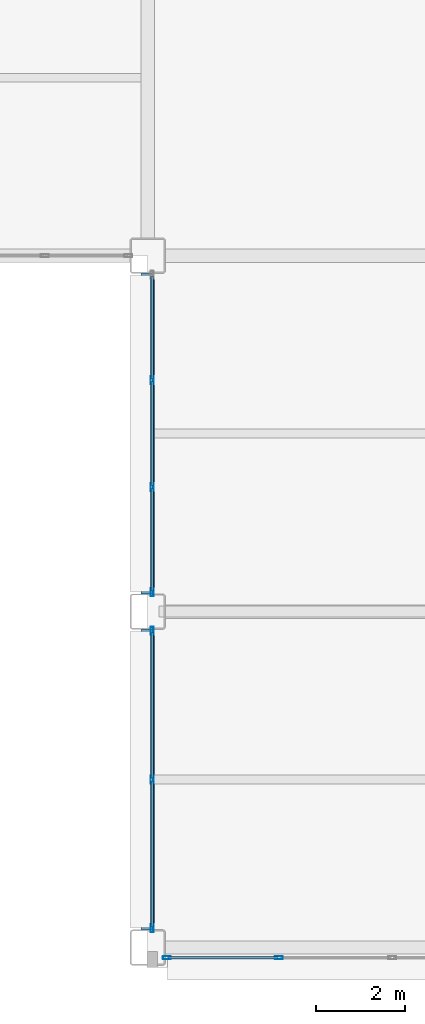
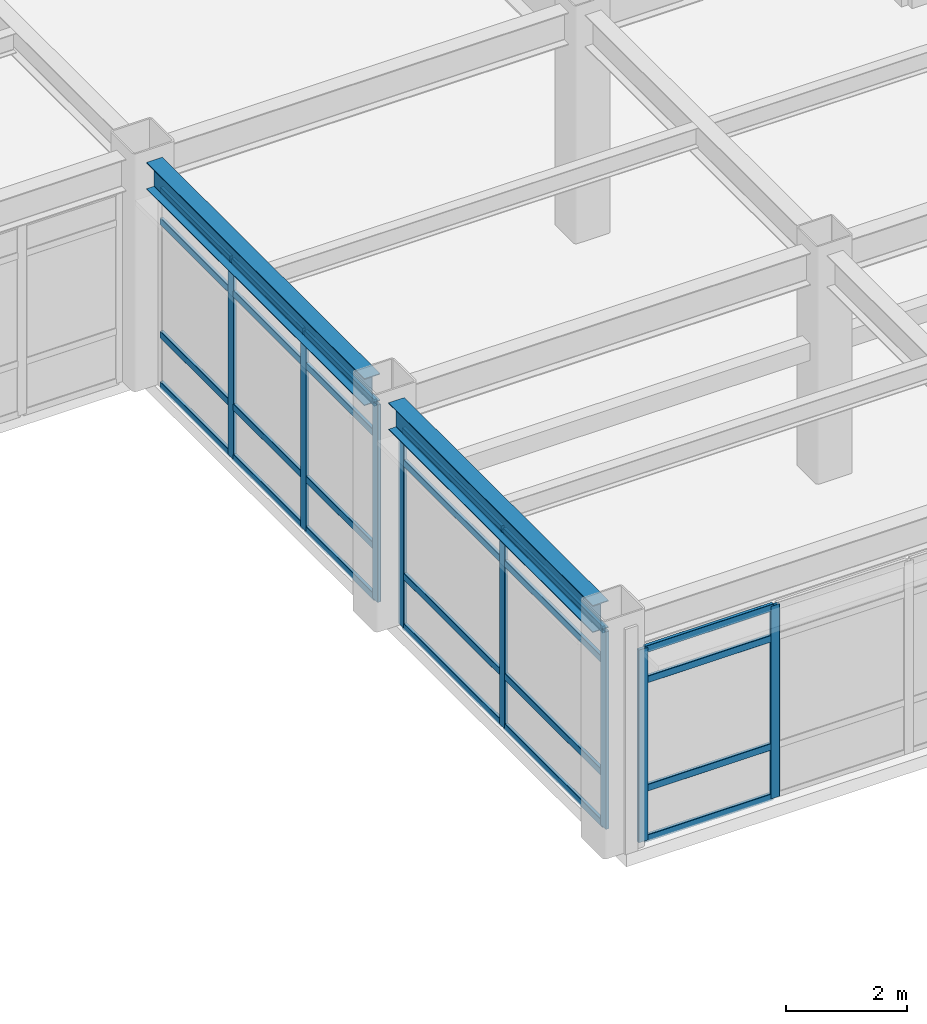
# One storey, part 79 of 154: 32 members, 2 beams, 3 elements without a shape of their own.
"""IFC4 building model written with IfcOpenShell, lengths in metres."""

from ifc_helpers import new_model, si_unit, direction, frame, origin, origin_2d, place, context, subcontext, project, spatial, hollow_rectangle, i_section, extrude, material, layer, layer_set, material_profile, profile_set, type_object, element, aggregate, save


model = new_model("IFC4")

# Units and contexts
model_context = context("Model", 3, precision=1e-05, world=origin(), true_north=direction((0.0, 1.0)))
body_context = subcontext(model_context, "Body", "Model", "MODEL_VIEW")
ifc_project = project(units=[si_unit("LENGTHUNIT", "METRE"), si_unit("AREAUNIT", "SQUARE_METRE"), si_unit("VOLUMEUNIT", "CUBIC_METRE"), si_unit("PLANEANGLEUNIT", "RADIAN"), si_unit("MASSUNIT", "GRAM", prefix="KILO")], contexts=[model_context])

# Site, building, storey
site_placement = place(None, origin())
site = spatial("IfcSite", under=ifc_project, at=site_placement, CompositionType="ELEMENT")
building_placement = place(site_placement, origin())
building = spatial("IfcBuilding", under=site, at=building_placement, Name="Kazehara Bluff Congress Hotel", CompositionType="ELEMENT")
storey_placement = place(building_placement, frame((0.0, 0.0, 10.199951171875)))
storey = spatial("IfcBuildingStorey", under=building, at=storey_placement, Name="L02", CompositionType="ELEMENT", Elevation=10.199951171875)

# Curtain wall, members
ifc_material_1 = material(Name="Anodised aluminium", Category="aluminium")
ifc_layer_1 = layer(ifc_material_1, 0.159912109375)
ifc_layer_set_1 = layer_set([ifc_layer_1], Name="Anodised aluminium")
curtain_wall_type_1 = type_object("IfcCurtainWallType", Name="TP-CW-22", PredefinedType="NOTDEFINED", material=ifc_layer_set_1)
curtain_wall_1_placement = place(storey_placement, origin())
curtain_wall_1 = element("IfcCurtainWall", 1, at=curtain_wall_1_placement, inside=storey, type_object=curtain_wall_type_1, Name="L02 curtain wall CW-22 CW-ENC-V5-L02-14793-22", PredefinedType="NOTDEFINED")
ifc_material_2 = material(Name="Anodised aluminium", Category="aluminium")
ifc_material_profile_1 = material_profile(ifc_material_2, hollow_rectangle(XDim=0.06494140625, YDim=0.179931640625, WallThickness=0.00390625, InnerFilletRadius=0.00390625, OuterFilletRadius=0.008056640625, at=origin_2d()))
ifc_profile_set_1 = profile_set([ifc_material_profile_1], Name="Anodised aluminium")
member_type_1 = type_object("IfcMemberType", Name="TP-CWM-02", PredefinedType="MULLION", material=ifc_profile_set_1)
member_1_placement = place(storey_placement, frame((146.64990234375, 0.219970703125, 0.0), z_axis=(0.0, 0.0, 1.0), x_axis=(0.0, -1.0, 0.0)))
member_1 = element("IfcMember", 2, at=member_1_placement, type_object=member_type_1, Name="CW-22 mullion 3", PredefinedType="MULLION", context=body_context, shape_type="SweptSolid", body=[
    extrude(hollow_rectangle(XDim=0.06494140625, YDim=0.179931640625, WallThickness=0.00390625, InnerFilletRadius=0.00390625, OuterFilletRadius=0.008056640625, at=origin_2d()), origin(), (0.0, 0.0, 1.0), 3.885009765625),
])
member_2_placement = place(storey_placement, frame((144.132568359375, 0.219970703125, 0.0), z_axis=(0.0, 0.0, 1.0), x_axis=(0.0, -1.0, 0.0)))
member_2 = element("IfcMember", 3, at=member_2_placement, type_object=member_type_1, Name="CW-22 mullion 4", PredefinedType="MULLION", context=body_context, shape_type="SweptSolid", body=[
    extrude(hollow_rectangle(XDim=0.06494140625, YDim=0.179931640625, WallThickness=0.00390625, InnerFilletRadius=0.00390625, OuterFilletRadius=0.008056640625, at=origin_2d()), origin(), (0.0, 0.0, 1.0), 3.885009765625),
])

ifc_material_3 = material(Name="Anodised aluminium", Category="aluminium")
ifc_layer_2 = layer(ifc_material_3, 0.159912109375)
ifc_layer_set_2 = layer_set([ifc_layer_2], Name="Anodised aluminium")
curtain_wall_type_2 = type_object("IfcCurtainWallType", Name="TP-CW-122", PredefinedType="NOTDEFINED", material=ifc_layer_set_2)
curtain_wall_2_placement = place(storey_placement, origin())
curtain_wall_2 = element("IfcCurtainWall", 4, at=curtain_wall_2_placement, inside=storey, type_object=curtain_wall_type_2, Name="L02 curtain wall CW-122 CW-ENC-V5-L02-14380-422", PredefinedType="NOTDEFINED")
member_3_placement = place(storey_placement, frame((143.800048828125, 0.882568359375, 0.0), z_axis=(0.0, 0.0, 1.0), x_axis=(-1.0, 0.0, 0.0)))
member_3 = element("IfcMember", 5, at=member_3_placement, type_object=member_type_1, Name="CW-122 mullion 1", PredefinedType="MULLION", context=body_context, shape_type="SweptSolid", body=[
    extrude(hollow_rectangle(XDim=0.06494140625, YDim=0.179931640625, WallThickness=0.00390625, InnerFilletRadius=0.00390625, OuterFilletRadius=0.008056640625, at=origin_2d()), origin(), (0.0, 0.0, 1.0), 3.985107421875),
])
member_4_placement = place(storey_placement, frame((143.800048828125, 4.22509765625, 0.0), z_axis=(0.0, 0.0, 1.0), x_axis=(-1.0, 0.0, 0.0)))
member_4 = element("IfcMember", 6, at=member_4_placement, type_object=member_type_1, Name="CW-122 mullion 2", PredefinedType="MULLION", context=body_context, shape_type="SweptSolid", body=[
    extrude(hollow_rectangle(XDim=0.06494140625, YDim=0.179931640625, WallThickness=0.00390625, InnerFilletRadius=0.00390625, OuterFilletRadius=0.008056640625, at=origin_2d()), origin(), (0.0, 0.0, 1.0), 3.985107421875),
])
member_5_placement = place(storey_placement, frame((143.800048828125, 7.5673828125, 0.0), z_axis=(0.0, 0.0, 1.0), x_axis=(-1.0, 0.0, 0.0)))
member_5 = element("IfcMember", 7, at=member_5_placement, type_object=member_type_1, Name="CW-122 mullion 3", PredefinedType="MULLION", context=body_context, shape_type="SweptSolid", body=[
    extrude(hollow_rectangle(XDim=0.06494140625, YDim=0.179931640625, WallThickness=0.00390625, InnerFilletRadius=0.00390625, OuterFilletRadius=0.008056640625, at=origin_2d()), origin(), (0.0, 0.0, 1.0), 3.985107421875),
])

ifc_material_4 = material(Name="Anodised aluminium", Category="aluminium")
ifc_layer_3 = layer(ifc_material_4, 0.159912109375)
ifc_layer_set_3 = layer_set([ifc_layer_3], Name="Anodised aluminium")
curtain_wall_type_3 = type_object("IfcCurtainWallType", Name="TP-CW-120", PredefinedType="NOTDEFINED", material=ifc_layer_set_3)
curtain_wall_3_placement = place(storey_placement, origin())
curtain_wall_3 = element("IfcCurtainWall", 8, at=curtain_wall_3_placement, inside=storey, type_object=curtain_wall_type_3, Name="L02 curtain wall CW-120 CW-ENC-V5-L02-14380-1200", PredefinedType="NOTDEFINED")
member_6_placement = place(storey_placement, frame((143.800048828125, 8.4326171875, 0.0), z_axis=(0.0, 0.0, 1.0), x_axis=(-1.0, 0.0, 0.0)))
member_6 = element("IfcMember", 9, at=member_6_placement, type_object=member_type_1, Name="CW-120 mullion 1", PredefinedType="MULLION", context=body_context, shape_type="SweptSolid", body=[
    extrude(hollow_rectangle(XDim=0.06494140625, YDim=0.179931640625, WallThickness=0.00390625, InnerFilletRadius=0.00390625, OuterFilletRadius=0.008056640625, at=origin_2d()), origin(), (0.0, 0.0, 1.0), 3.985107421875),
])
member_7_placement = place(storey_placement, frame((143.800048828125, 10.800048828125, 0.0), z_axis=(0.0, 0.0, 1.0), x_axis=(-1.0, 0.0, 0.0)))
member_7 = element("IfcMember", 10, at=member_7_placement, type_object=member_type_1, Name="CW-120 mullion 2", PredefinedType="MULLION", context=body_context, shape_type="SweptSolid", body=[
    extrude(hollow_rectangle(XDim=0.06494140625, YDim=0.179931640625, WallThickness=0.00390625, InnerFilletRadius=0.00390625, OuterFilletRadius=0.008056640625, at=origin_2d()), origin(), (0.0, 0.0, 1.0), 3.985107421875),
])
member_8_placement = place(storey_placement, frame((143.800048828125, 13.199951171875, 0.0), z_axis=(0.0, 0.0, 1.0), x_axis=(-1.0, 0.0, 0.0)))
member_8 = element("IfcMember", 11, at=member_8_placement, type_object=member_type_1, Name="CW-120 mullion 3", PredefinedType="MULLION", context=body_context, shape_type="SweptSolid", body=[
    extrude(hollow_rectangle(XDim=0.06494140625, YDim=0.179931640625, WallThickness=0.00390625, InnerFilletRadius=0.00390625, OuterFilletRadius=0.008056640625, at=origin_2d()), origin(), (0.0, 0.0, 1.0), 3.985107421875),
])

# Member
ifc_material_5 = material(Name="Anodised aluminium", Category="aluminium")
ifc_material_profile_2 = material_profile(ifc_material_5, hollow_rectangle(XDim=0.06494140625, YDim=0.139892578125, WallThickness=0.00390625, InnerFilletRadius=0.00390625, OuterFilletRadius=0.008056640625, at=origin_2d()))
ifc_profile_set_2 = profile_set([ifc_material_profile_2], Name="Anodised aluminium")
member_type_2 = type_object("IfcMemberType", Name="TP-CWT-02", PredefinedType="USERDEFINED", material=ifc_profile_set_2)
member_9_placement = place(storey_placement, frame((146.617431640625, 0.219970703125, 0.032470703125), z_axis=(-1.0, 0.0, 0.0), x_axis=(0.0, -1.0, 0.0)))
member_9 = element("IfcMember", 12, at=member_9_placement, type_object=member_type_2, Name="CW-22 transom 3.1", ObjectType="TRANSOM", PredefinedType="USERDEFINED", context=body_context, shape_type="SweptSolid", body=[
    extrude(hollow_rectangle(XDim=0.06494140625, YDim=0.139892578125, WallThickness=0.00390625, InnerFilletRadius=0.00390625, OuterFilletRadius=0.008056640625, at=origin_2d()), origin(), (0.0, 0.0, 1.0), 2.452392578125),
])

member_10_placement = place(storey_placement, frame((146.617431640625, 0.219970703125, 1.050048828125), z_axis=(-1.0, 0.0, 0.0), x_axis=(0.0, -1.0, 0.0)))
member_10 = element("IfcMember", 13, at=member_10_placement, type_object=member_type_2, Name="CW-22 transom 3.2", ObjectType="TRANSOM", PredefinedType="USERDEFINED", context=body_context, shape_type="SweptSolid", body=[
    extrude(hollow_rectangle(XDim=0.06494140625, YDim=0.139892578125, WallThickness=0.00390625, InnerFilletRadius=0.00390625, OuterFilletRadius=0.008056640625, at=origin_2d()), origin(), (0.0, 0.0, 1.0), 2.452392578125),
])

member_11_placement = place(storey_placement, frame((146.617431640625, 0.219970703125, 3.235107421875), z_axis=(-1.0, 0.0, 0.0), x_axis=(0.0, -1.0, 0.0)))
member_11 = element("IfcMember", 14, at=member_11_placement, type_object=member_type_2, Name="CW-22 transom 3.3", ObjectType="TRANSOM", PredefinedType="USERDEFINED", context=body_context, shape_type="SweptSolid", body=[
    extrude(hollow_rectangle(XDim=0.06494140625, YDim=0.139892578125, WallThickness=0.00390625, InnerFilletRadius=0.00390625, OuterFilletRadius=0.008056640625, at=origin_2d()), origin(), (0.0, 0.0, 1.0), 2.452392578125),
])

member_12_placement = place(storey_placement, frame((146.617431640625, 0.219970703125, 3.8525390625), z_axis=(-1.0, 0.0, 0.0), x_axis=(0.0, -1.0, 0.0)))
member_12 = element("IfcMember", 15, at=member_12_placement, type_object=member_type_2, Name="CW-22 transom 3.4", ObjectType="TRANSOM", PredefinedType="USERDEFINED", context=body_context, shape_type="SweptSolid", body=[
    extrude(hollow_rectangle(XDim=0.06494140625, YDim=0.139892578125, WallThickness=0.00390625, InnerFilletRadius=0.00390625, OuterFilletRadius=0.008056640625, at=origin_2d()), origin(), (0.0, 0.0, 1.0), 2.452392578125),
])

aggregate(curtain_wall_1, [member_1, member_2, member_9, member_10, member_11, member_12])

member_13_placement = place(storey_placement, frame((143.800048828125, 0.9150390625, 0.032470703125), z_axis=(0.0, 1.0, 0.0), x_axis=(-1.0, 0.0, 0.0)))
member_13 = element("IfcMember", 16, at=member_13_placement, type_object=member_type_2, Name="CW-122 transom 1.1", ObjectType="TRANSOM", PredefinedType="USERDEFINED", context=body_context, shape_type="SweptSolid", body=[
    extrude(hollow_rectangle(XDim=0.06494140625, YDim=0.139892578125, WallThickness=0.00390625, InnerFilletRadius=0.00390625, OuterFilletRadius=0.008056640625, at=origin_2d()), origin(), (0.0, 0.0, 1.0), 3.27734375),
])

member_14_placement = place(storey_placement, frame((143.800048828125, 0.9150390625, 1.050048828125), z_axis=(0.0, 1.0, 0.0), x_axis=(-1.0, 0.0, 0.0)))
member_14 = element("IfcMember", 17, at=member_14_placement, type_object=member_type_2, Name="CW-122 transom 1.2", ObjectType="TRANSOM", PredefinedType="USERDEFINED", context=body_context, shape_type="SweptSolid", body=[
    extrude(hollow_rectangle(XDim=0.06494140625, YDim=0.139892578125, WallThickness=0.00390625, InnerFilletRadius=0.00390625, OuterFilletRadius=0.008056640625, at=origin_2d()), origin(), (0.0, 0.0, 1.0), 3.27734375),
])

member_15_placement = place(storey_placement, frame((143.800048828125, 0.9150390625, 3.3349609375), z_axis=(0.0, 1.0, 0.0), x_axis=(-1.0, 0.0, 0.0)))
member_15 = element("IfcMember", 18, at=member_15_placement, type_object=member_type_2, Name="CW-122 transom 1.3", ObjectType="TRANSOM", PredefinedType="USERDEFINED", context=body_context, shape_type="SweptSolid", body=[
    extrude(hollow_rectangle(XDim=0.06494140625, YDim=0.139892578125, WallThickness=0.00390625, InnerFilletRadius=0.00390625, OuterFilletRadius=0.008056640625, at=origin_2d()), origin(), (0.0, 0.0, 1.0), 3.27734375),
])

member_16_placement = place(storey_placement, frame((143.800048828125, 0.9150390625, 3.95263671875), z_axis=(0.0, 1.0, 0.0), x_axis=(-1.0, 0.0, 0.0)))
member_16 = element("IfcMember", 19, at=member_16_placement, type_object=member_type_2, Name="CW-122 transom 1.4", ObjectType="TRANSOM", PredefinedType="USERDEFINED", context=body_context, shape_type="SweptSolid", body=[
    extrude(hollow_rectangle(XDim=0.06494140625, YDim=0.139892578125, WallThickness=0.00390625, InnerFilletRadius=0.00390625, OuterFilletRadius=0.008056640625, at=origin_2d()), origin(), (0.0, 0.0, 1.0), 3.27734375),
])

member_17_placement = place(storey_placement, frame((143.800048828125, 4.257568359375, 0.032470703125), z_axis=(0.0, 1.0, 0.0), x_axis=(-1.0, 0.0, 0.0)))
member_17 = element("IfcMember", 20, at=member_17_placement, type_object=member_type_2, Name="CW-122 transom 2.1", ObjectType="TRANSOM", PredefinedType="USERDEFINED", context=body_context, shape_type="SweptSolid", body=[
    extrude(hollow_rectangle(XDim=0.06494140625, YDim=0.139892578125, WallThickness=0.00390625, InnerFilletRadius=0.00390625, OuterFilletRadius=0.008056640625, at=origin_2d()), origin(), (0.0, 0.0, 1.0), 3.27734375),
])

member_18_placement = place(storey_placement, frame((143.800048828125, 4.257568359375, 1.050048828125), z_axis=(0.0, 1.0, 0.0), x_axis=(-1.0, 0.0, 0.0)))
member_18 = element("IfcMember", 21, at=member_18_placement, type_object=member_type_2, Name="CW-122 transom 2.2", ObjectType="TRANSOM", PredefinedType="USERDEFINED", context=body_context, shape_type="SweptSolid", body=[
    extrude(hollow_rectangle(XDim=0.06494140625, YDim=0.139892578125, WallThickness=0.00390625, InnerFilletRadius=0.00390625, OuterFilletRadius=0.008056640625, at=origin_2d()), origin(), (0.0, 0.0, 1.0), 3.27734375),
])

member_19_placement = place(storey_placement, frame((143.800048828125, 4.257568359375, 3.3349609375), z_axis=(0.0, 1.0, 0.0), x_axis=(-1.0, 0.0, 0.0)))
member_19 = element("IfcMember", 22, at=member_19_placement, type_object=member_type_2, Name="CW-122 transom 2.3", ObjectType="TRANSOM", PredefinedType="USERDEFINED", context=body_context, shape_type="SweptSolid", body=[
    extrude(hollow_rectangle(XDim=0.06494140625, YDim=0.139892578125, WallThickness=0.00390625, InnerFilletRadius=0.00390625, OuterFilletRadius=0.008056640625, at=origin_2d()), origin(), (0.0, 0.0, 1.0), 3.27734375),
])

member_20_placement = place(storey_placement, frame((143.800048828125, 4.257568359375, 3.95263671875), z_axis=(0.0, 1.0, 0.0), x_axis=(-1.0, 0.0, 0.0)))
member_20 = element("IfcMember", 23, at=member_20_placement, type_object=member_type_2, Name="CW-122 transom 2.4", ObjectType="TRANSOM", PredefinedType="USERDEFINED", context=body_context, shape_type="SweptSolid", body=[
    extrude(hollow_rectangle(XDim=0.06494140625, YDim=0.139892578125, WallThickness=0.00390625, InnerFilletRadius=0.00390625, OuterFilletRadius=0.008056640625, at=origin_2d()), origin(), (0.0, 0.0, 1.0), 3.27734375),
])

aggregate(curtain_wall_2, [member_3, member_4, member_5, member_13, member_14, member_15, member_16, member_17, member_18, member_19, member_20])

member_21_placement = place(storey_placement, frame((143.800048828125, 8.465087890625, 0.032470703125), z_axis=(0.0, 1.0, 0.0), x_axis=(-1.0, 0.0, 0.0)))
member_21 = element("IfcMember", 24, at=member_21_placement, type_object=member_type_2, Name="CW-120 transom 1.1", ObjectType="TRANSOM", PredefinedType="USERDEFINED", context=body_context, shape_type="SweptSolid", body=[
    extrude(hollow_rectangle(XDim=0.06494140625, YDim=0.139892578125, WallThickness=0.00390625, InnerFilletRadius=0.00390625, OuterFilletRadius=0.008056640625, at=origin_2d()), origin(), (0.0, 0.0, 1.0), 2.302490234375),
])

member_22_placement = place(storey_placement, frame((143.800048828125, 8.465087890625, 1.050048828125), z_axis=(0.0, 1.0, 0.0), x_axis=(-1.0, 0.0, 0.0)))
member_22 = element("IfcMember", 25, at=member_22_placement, type_object=member_type_2, Name="CW-120 transom 1.2", ObjectType="TRANSOM", PredefinedType="USERDEFINED", context=body_context, shape_type="SweptSolid", body=[
    extrude(hollow_rectangle(XDim=0.06494140625, YDim=0.139892578125, WallThickness=0.00390625, InnerFilletRadius=0.00390625, OuterFilletRadius=0.008056640625, at=origin_2d()), origin(), (0.0, 0.0, 1.0), 2.302490234375),
])

member_23_placement = place(storey_placement, frame((143.800048828125, 8.465087890625, 3.3349609375), z_axis=(0.0, 1.0, 0.0), x_axis=(-1.0, 0.0, 0.0)))
member_23 = element("IfcMember", 26, at=member_23_placement, type_object=member_type_2, Name="CW-120 transom 1.3", ObjectType="TRANSOM", PredefinedType="USERDEFINED", context=body_context, shape_type="SweptSolid", body=[
    extrude(hollow_rectangle(XDim=0.06494140625, YDim=0.139892578125, WallThickness=0.00390625, InnerFilletRadius=0.00390625, OuterFilletRadius=0.008056640625, at=origin_2d()), origin(), (0.0, 0.0, 1.0), 2.302490234375),
])

member_24_placement = place(storey_placement, frame((143.800048828125, 8.465087890625, 3.95263671875), z_axis=(0.0, 1.0, 0.0), x_axis=(-1.0, 0.0, 0.0)))
member_24 = element("IfcMember", 27, at=member_24_placement, type_object=member_type_2, Name="CW-120 transom 1.4", ObjectType="TRANSOM", PredefinedType="USERDEFINED", context=body_context, shape_type="SweptSolid", body=[
    extrude(hollow_rectangle(XDim=0.06494140625, YDim=0.139892578125, WallThickness=0.00390625, InnerFilletRadius=0.00390625, OuterFilletRadius=0.008056640625, at=origin_2d()), origin(), (0.0, 0.0, 1.0), 2.302490234375),
])

member_25_placement = place(storey_placement, frame((143.800048828125, 10.83251953125, 0.032470703125), z_axis=(0.0, 1.0, 0.0), x_axis=(-1.0, 0.0, 0.0)))
member_25 = element("IfcMember", 28, at=member_25_placement, type_object=member_type_2, Name="CW-120 transom 2.1", ObjectType="TRANSOM", PredefinedType="USERDEFINED", context=body_context, shape_type="SweptSolid", body=[
    extrude(hollow_rectangle(XDim=0.06494140625, YDim=0.139892578125, WallThickness=0.00390625, InnerFilletRadius=0.00390625, OuterFilletRadius=0.008056640625, at=origin_2d()), origin(), (0.0, 0.0, 1.0), 2.3349609375),
])

member_26_placement = place(storey_placement, frame((143.800048828125, 10.83251953125, 1.050048828125), z_axis=(0.0, 1.0, 0.0), x_axis=(-1.0, 0.0, 0.0)))
member_26 = element("IfcMember", 29, at=member_26_placement, type_object=member_type_2, Name="CW-120 transom 2.2", ObjectType="TRANSOM", PredefinedType="USERDEFINED", context=body_context, shape_type="SweptSolid", body=[
    extrude(hollow_rectangle(XDim=0.06494140625, YDim=0.139892578125, WallThickness=0.00390625, InnerFilletRadius=0.00390625, OuterFilletRadius=0.008056640625, at=origin_2d()), origin(), (0.0, 0.0, 1.0), 2.3349609375),
])

member_27_placement = place(storey_placement, frame((143.800048828125, 10.83251953125, 3.3349609375), z_axis=(0.0, 1.0, 0.0), x_axis=(-1.0, 0.0, 0.0)))
member_27 = element("IfcMember", 30, at=member_27_placement, type_object=member_type_2, Name="CW-120 transom 2.3", ObjectType="TRANSOM", PredefinedType="USERDEFINED", context=body_context, shape_type="SweptSolid", body=[
    extrude(hollow_rectangle(XDim=0.06494140625, YDim=0.139892578125, WallThickness=0.00390625, InnerFilletRadius=0.00390625, OuterFilletRadius=0.008056640625, at=origin_2d()), origin(), (0.0, 0.0, 1.0), 2.3349609375),
])

member_28_placement = place(storey_placement, frame((143.800048828125, 10.83251953125, 3.95263671875), z_axis=(0.0, 1.0, 0.0), x_axis=(-1.0, 0.0, 0.0)))
member_28 = element("IfcMember", 31, at=member_28_placement, type_object=member_type_2, Name="CW-120 transom 2.4", ObjectType="TRANSOM", PredefinedType="USERDEFINED", context=body_context, shape_type="SweptSolid", body=[
    extrude(hollow_rectangle(XDim=0.06494140625, YDim=0.139892578125, WallThickness=0.00390625, InnerFilletRadius=0.00390625, OuterFilletRadius=0.008056640625, at=origin_2d()), origin(), (0.0, 0.0, 1.0), 2.3349609375),
])

member_29_placement = place(storey_placement, frame((143.800048828125, 13.232421875, 0.032470703125), z_axis=(0.0, 1.0, 0.0), x_axis=(-1.0, 0.0, 0.0)))
member_29 = element("IfcMember", 32, at=member_29_placement, type_object=member_type_2, Name="CW-120 transom 3.1", ObjectType="TRANSOM", PredefinedType="USERDEFINED", context=body_context, shape_type="SweptSolid", body=[
    extrude(hollow_rectangle(XDim=0.06494140625, YDim=0.139892578125, WallThickness=0.00390625, InnerFilletRadius=0.00390625, OuterFilletRadius=0.008056640625, at=origin_2d()), origin(), (0.0, 0.0, 1.0), 2.302490234375),
])

member_30_placement = place(storey_placement, frame((143.800048828125, 13.232421875, 1.050048828125), z_axis=(0.0, 1.0, 0.0), x_axis=(-1.0, 0.0, 0.0)))
member_30 = element("IfcMember", 33, at=member_30_placement, type_object=member_type_2, Name="CW-120 transom 3.2", ObjectType="TRANSOM", PredefinedType="USERDEFINED", context=body_context, shape_type="SweptSolid", body=[
    extrude(hollow_rectangle(XDim=0.06494140625, YDim=0.139892578125, WallThickness=0.00390625, InnerFilletRadius=0.00390625, OuterFilletRadius=0.008056640625, at=origin_2d()), origin(), (0.0, 0.0, 1.0), 2.302490234375),
])

member_31_placement = place(storey_placement, frame((143.800048828125, 13.232421875, 3.3349609375), z_axis=(0.0, 1.0, 0.0), x_axis=(-1.0, 0.0, 0.0)))
member_31 = element("IfcMember", 34, at=member_31_placement, type_object=member_type_2, Name="CW-120 transom 3.3", ObjectType="TRANSOM", PredefinedType="USERDEFINED", context=body_context, shape_type="SweptSolid", body=[
    extrude(hollow_rectangle(XDim=0.06494140625, YDim=0.139892578125, WallThickness=0.00390625, InnerFilletRadius=0.00390625, OuterFilletRadius=0.008056640625, at=origin_2d()), origin(), (0.0, 0.0, 1.0), 2.302490234375),
])

member_32_placement = place(storey_placement, frame((143.800048828125, 13.232421875, 3.95263671875), z_axis=(0.0, 1.0, 0.0), x_axis=(-1.0, 0.0, 0.0)))
member_32 = element("IfcMember", 35, at=member_32_placement, type_object=member_type_2, Name="CW-120 transom 3.4", ObjectType="TRANSOM", PredefinedType="USERDEFINED", context=body_context, shape_type="SweptSolid", body=[
    extrude(hollow_rectangle(XDim=0.06494140625, YDim=0.139892578125, WallThickness=0.00390625, InnerFilletRadius=0.00390625, OuterFilletRadius=0.008056640625, at=origin_2d()), origin(), (0.0, 0.0, 1.0), 2.302490234375),
])

aggregate(curtain_wall_3, [member_6, member_7, member_8, member_21, member_22, member_23, member_24, member_25, member_26, member_27, member_28, member_29, member_30, member_31, member_32])

# Beams
ifc_material_6 = material(Name="Steel SN490B", Category="steel")
ifc_material_profile_3 = material_profile(ifc_material_6, i_section(OverallWidth=0.300048828125, OverallDepth=0.550048828125, WebThickness=0.010986328125, FlangeThickness=0.01806640625, FilletRadius=0.012939453125, at=origin_2d()))
ifc_profile_set_3 = profile_set([ifc_material_profile_3], Name="Steel SN490B")
beam_type = type_object("IfcBeamType", Name="TP-SP-01", PredefinedType="SPANDREL", material=ifc_profile_set_3)
beam_1_placement = place(storey_placement, frame((143.699951171875, 0.85009765625, 4.28515625), z_axis=(0.0, 1.0, 0.0), x_axis=(-1.0, 0.0, 0.0)))
element("IfcBeam", 36, at=beam_1_placement, inside=storey, type_object=beam_type, Name="L02 girder SP-01 138", PredefinedType="SPANDREL", context=body_context, shape_type="SweptSolid", body=[
    extrude(i_section(OverallWidth=0.300048828125, OverallDepth=0.550048828125, WebThickness=0.010986328125, FlangeThickness=0.01806640625, FilletRadius=0.012939453125, at=origin_2d()), origin(), (0.0, 0.0, 1.0), 6.75),
])
beam_2_placement = place(storey_placement, frame((143.699951171875, 8.39990234375, 4.28515625), z_axis=(0.0, 1.0, 0.0), x_axis=(-1.0, 0.0, 0.0)))
element("IfcBeam", 37, at=beam_2_placement, inside=storey, type_object=beam_type, Name="L02 girder SP-01 139", PredefinedType="SPANDREL", context=body_context, shape_type="SweptSolid", body=[
    extrude(i_section(OverallWidth=0.300048828125, OverallDepth=0.550048828125, WebThickness=0.010986328125, FlangeThickness=0.01806640625, FilletRadius=0.012939453125, at=origin_2d()), origin(), (0.0, 0.0, 1.0), 7.2001953125),
])

save(model, "model.ifc")
